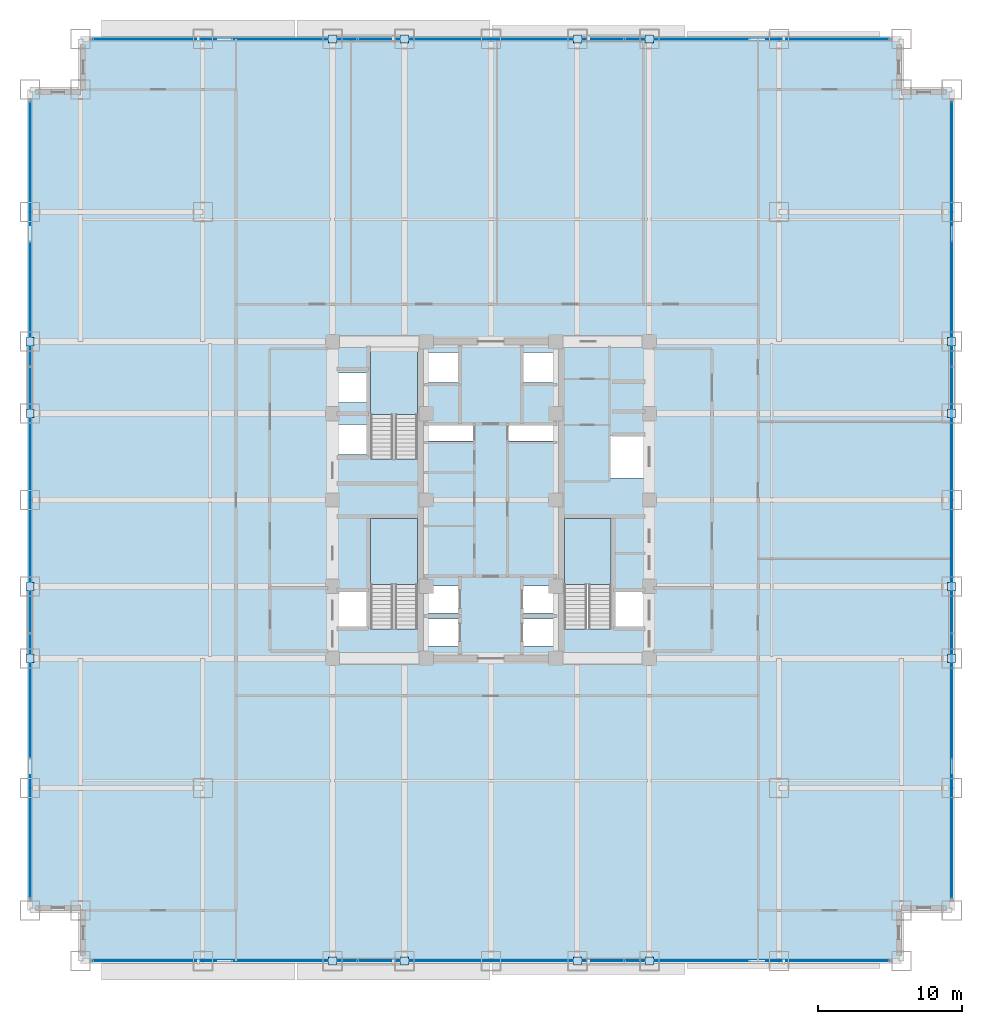
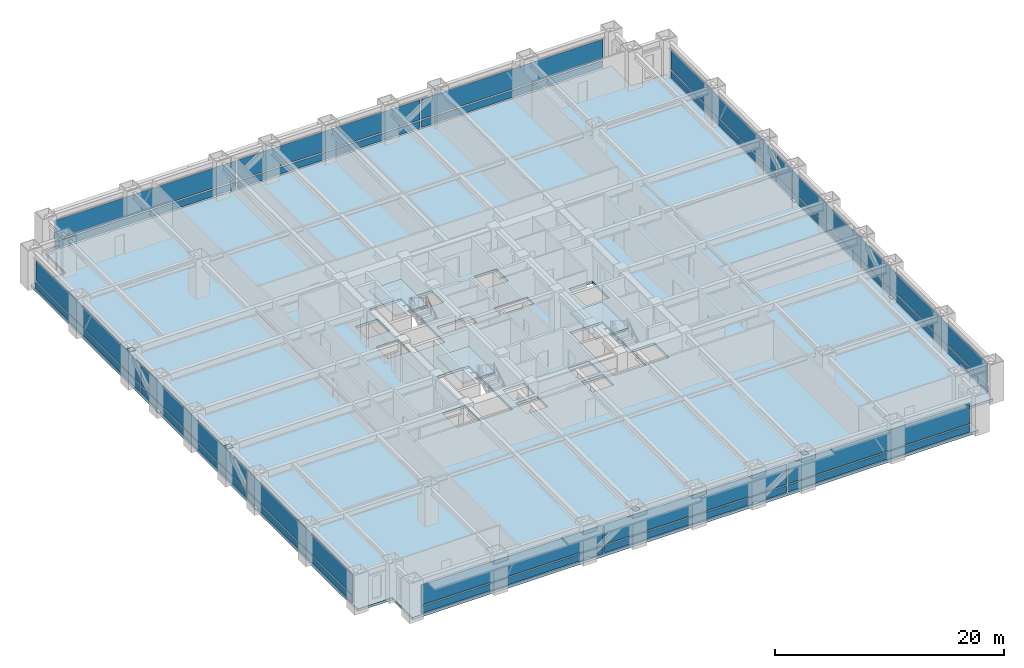
# One storey, part 22 of 31: 40 plates, 4 slabs, 7 elements without a shape of their own.
"""IFC4 building model written with IfcOpenShell, lengths in metres."""

from ifc_helpers import new_model, si_unit, direction, frame, origin, origin_2d, place, context, subcontext, project, spatial, polyline, rectangle, outline, extrude, source, transform, mapped, material, layer, layer_set, type_object, element, aggregate, save


model = new_model("IFC4")

# Units and contexts
model_context = context("Model", 3, precision=1e-05, world=origin(), true_north=direction((0.0, 1.0)))
body_context = subcontext(model_context, "Body", "Model", "MODEL_VIEW")
ifc_project = project(units=[si_unit("LENGTHUNIT", "METRE"), si_unit("AREAUNIT", "SQUARE_METRE"), si_unit("VOLUMEUNIT", "CUBIC_METRE"), si_unit("PLANEANGLEUNIT", "RADIAN"), si_unit("MASSUNIT", "GRAM", prefix="KILO")], contexts=[model_context])

# Site, building, storey
site_placement = place(None, origin())
site = spatial("IfcSite", under=ifc_project, at=site_placement, CompositionType="ELEMENT")
building_placement = place(site_placement, origin())
building = spatial("IfcBuilding", under=site, at=building_placement, Name="Khorayat Bourse Tower", CompositionType="ELEMENT")
storey_placement = place(building_placement, frame((0.0, 0.0, 36.800048828125)))
storey = spatial("IfcBuildingStorey", under=building, at=storey_placement, Name="L07", CompositionType="ELEMENT", Elevation=36.800048828125)

# Stair, slab
ifc_material_1 = material(Name="Concrete C40/50", Category="concrete")
stair_type = type_object("IfcStairType", Name="STR-CORE-1550", PredefinedType="HALF_TURN_STAIR", material=ifc_material_1)
stair_1_placement = place(storey_placement, origin())
stair_1 = element("IfcStair", 1, at=stair_1_placement, inside=storey, type_object=stair_type, Name="L07 Exit Stair ST-1", PredefinedType="HALF_TURN_STAIR")
ifc_layer_1 = layer(ifc_material_1, 0.199951171875)
ifc_layer_set_1 = layer_set([ifc_layer_1], Name="Concrete C40/50")
slab_type_1 = type_object("IfcSlabType", Name="SLB-LANDING-200", PredefinedType="LANDING", material=ifc_layer_set_1)
slab_1_placement = place(storey_placement, frame((0.0, 0.0, 1.89990234375)))
slab_1 = element("IfcSlab", 2, at=slab_1_placement, type_object=slab_type_1, Name="ST-1 landing 1", PredefinedType="LANDING", context=body_context, shape_type="SweptSolid", body=[
    extrude(outline(polyline([(-5.10009765625, -5.8701171875), (-5.10009765625, -1.300048828125), (-8.35009765625, -1.300048828125), (-8.35009765625, -5.8701171875), (-5.10009765625, -5.8701171875)])), origin(), (0.0, 0.0, 1.0), 0.199951171875),
])
aggregate(stair_1, [slab_1])

stair_2_placement = place(storey_placement, origin())
stair_2 = element("IfcStair", 3, at=stair_2_placement, inside=storey, type_object=stair_type, Name="L07 Exit Stair ST-2", PredefinedType="HALF_TURN_STAIR")
slab_2_placement = place(storey_placement, frame((0.0, 0.0, 1.89990234375)))
slab_2 = element("IfcSlab", 4, at=slab_2_placement, type_object=slab_type_1, Name="ST-2 landing 1", PredefinedType="LANDING", context=body_context, shape_type="SweptSolid", body=[
    extrude(outline(polyline([(-5.10009765625, 5.929931640625), (-5.10009765625, 10.5), (-8.35009765625, 10.5), (-8.35009765625, 5.929931640625), (-5.10009765625, 5.929931640625)])), origin(), (0.0, 0.0, 1.0), 0.199951171875),
])
aggregate(stair_2, [slab_2])

stair_3_placement = place(storey_placement, origin())
stair_3 = element("IfcStair", 5, at=stair_3_placement, inside=storey, type_object=stair_type, Name="L07 Exit Stair ST-3", PredefinedType="HALF_TURN_STAIR")
slab_3_placement = place(storey_placement, frame((0.0, 0.0, 1.89990234375)))
slab_3 = element("IfcSlab", 6, at=slab_3_placement, type_object=slab_type_1, Name="ST-3 landing 1", PredefinedType="LANDING", context=body_context, shape_type="SweptSolid", body=[
    extrude(outline(polyline([(8.35009765625, -5.8701171875), (8.35009765625, -1.300048828125), (5.10009765625, -1.300048828125), (5.10009765625, -5.8701171875), (8.35009765625, -5.8701171875)])), origin(), (0.0, 0.0, 1.0), 0.199951171875),
])
aggregate(stair_3, [slab_3])

# Slab
ifc_layer_2 = layer(ifc_material_1, 0.260009765625)
ifc_layer_set_2 = layer_set([ifc_layer_2], Name="Concrete C40/50")
slab_type_2 = type_object("IfcSlabType", Name="SLB-TRADE-260", PredefinedType="FLOOR", material=ifc_layer_set_2)
slab_4_placement = place(storey_placement, frame((0.0, 0.0, -0.260009765625)))
element("IfcSlab", 7, at=slab_4_placement, inside=storey, type_object=slab_type_2, Name="L07 Main Floor Slab", PredefinedType="FLOOR", context=body_context, shape_type="SweptSolid", body=[
    extrude(outline(polyline([(-28.5, -32.0), (28.5, -32.0), (28.5, -28.5), (32.0, -28.5), (32.0, 28.5), (28.5, 28.5), (28.5, 32.0), (-28.5, 32.0), (-28.5, 28.5), (-32.0, 28.5), (-32.0, -28.5), (-28.5, -28.5), (-28.5, -32.0)]), holes=[polyline([(-8.35009765625, -8.945068359375), (-5.10009765625, -8.945068359375), (-5.10009765625, -1.300048828125), (-8.35009765625, -1.300048828125), (-8.35009765625, -8.945068359375)]), polyline([(-8.35009765625, 2.85498046875), (-5.10009765625, 2.85498046875), (-5.10009765625, 10.5), (-8.35009765625, 10.5), (-8.35009765625, 2.85498046875)]), polyline([(5.10009765625, -8.945068359375), (8.35009765625, -8.945068359375), (8.35009765625, -1.300048828125), (5.10009765625, -1.300048828125), (5.10009765625, -8.945068359375)]), polyline([(-4.3798828125, -10.1298828125), (-2.219970703125, -10.1298828125), (-2.219970703125, -8.27001953125), (-4.3798828125, -8.27001953125), (-4.3798828125, -10.1298828125)]), polyline([(2.219970703125, -10.1298828125), (4.3798828125, -10.1298828125), (4.3798828125, -8.27001953125), (2.219970703125, -8.27001953125), (2.219970703125, -10.1298828125)]), polyline([(-4.3798828125, -7.830078125), (-2.219970703125, -7.830078125), (-2.219970703125, -5.969970703125), (-4.3798828125, -5.969970703125), (-4.3798828125, -7.830078125)]), polyline([(2.219970703125, -7.830078125), (4.3798828125, -7.830078125), (4.3798828125, -5.969970703125), (2.219970703125, -5.969970703125), (2.219970703125, -7.830078125)]), polyline([(-4.3798828125, 8.169921875), (-2.1201171875, 8.169921875), (-2.1201171875, 10.22998046875), (-4.3798828125, 10.22998046875), (-4.3798828125, 8.169921875)]), polyline([(2.1201171875, 8.169921875), (4.3798828125, 8.169921875), (4.3798828125, 10.22998046875), (2.1201171875, 10.22998046875), (2.1201171875, 8.169921875)]), polyline([(-10.679931640625, 3.169921875), (-8.419921875, 3.169921875), (-8.419921875, 5.22998046875), (-10.679931640625, 5.22998046875), (-10.679931640625, 3.169921875)]), polyline([(-10.679931640625, 6.77001953125), (-8.419921875, 6.77001953125), (-8.419921875, 8.830078125), (-10.679931640625, 8.830078125), (-10.679931640625, 6.77001953125)]), polyline([(-10.679931640625, -8.929931640625), (-8.419921875, -8.929931640625), (-8.419921875, -6.3701171875), (-10.679931640625, -6.3701171875), (-10.679931640625, -8.929931640625)]), polyline([(8.419921875, -8.929931640625), (10.679931640625, -8.929931640625), (10.679931640625, -6.3701171875), (8.419921875, -6.3701171875), (8.419921875, -8.929931640625)]), polyline([(8.320068359375, 1.52001953125), (10.679931640625, 1.52001953125), (10.679931640625, 4.47998046875), (8.320068359375, 4.47998046875), (8.320068359375, 1.52001953125)]), polyline([(-4.56005859375, 4.080078125), (-1.18994140625, 4.080078125), (-1.18994140625, 5.219970703125), (-4.56005859375, 5.219970703125), (-4.56005859375, 4.080078125)]), polyline([(1.18994140625, 4.080078125), (4.56005859375, 4.080078125), (4.56005859375, 5.219970703125), (1.18994140625, 5.219970703125), (1.18994140625, 4.080078125)])]), origin(), (0.0, 0.0, 1.0), 0.260009765625),
])

# Plates
ifc_material_2 = material(Name="Steel EN 10025-2 S355J2", Category="steel")
ifc_layer_3 = layer(ifc_material_2, 0.02490234375)
ifc_layer_set_3 = layer_set([ifc_layer_3], Name="Steel EN 10025-2 S355J2")
plate_type_1 = type_object("IfcPlateType", Name="PLT-ENDCAP-25", PredefinedType="SHEET", material=ifc_layer_set_3)
shared_shape_1 = source(origin(), body_context, "Body", "SweptSolid", [
    extrude(rectangle(XDim=0.56005859375, YDim=0.56005859375, at=origin_2d()), origin(), (0.0, 0.0, 1.0), 0.02490234375),
])
for number, where, z_axis, x_axis, name in (
    (8, (-11.0, -32.0, 0.237548828125), (0.0, 0.0, 1.0), (1.0, 0.0, 0.0), "L07 Perimeter Brace End Plate 001"),
    (9, (-6.0, -32.0, 3.677490234375), (0.0, 0.0, 1.0), (1.0, 0.0, 0.0), "L07 Perimeter Brace End Plate 002"),
    (10, (6.0, -32.0, 0.237548828125), (0.0, 0.0, 1.0), (1.0, 0.0, 0.0), "L07 Perimeter Brace End Plate 003"),
    (11, (11.0, -32.0, 3.677490234375), (0.0, 0.0, 1.0), (1.0, 0.0, 0.0), "L07 Perimeter Brace End Plate 004"),
    (12, (-11.0, 32.0, 0.237548828125), (0.0, 0.0, 1.0), (1.0, 0.0, 0.0), "L07 Perimeter Brace End Plate 005"),
    (13, (-6.0, 32.0, 3.677490234375), (0.0, 0.0, 1.0), (1.0, 0.0, 0.0), "L07 Perimeter Brace End Plate 006"),
    (14, (6.0, 32.0, 0.237548828125), (0.0, 0.0, 1.0), (1.0, 0.0, 0.0), "L07 Perimeter Brace End Plate 007"),
    (15, (11.0, 32.0, 3.677490234375), (0.0, 0.0, 1.0), (1.0, 0.0, 0.0), "L07 Perimeter Brace End Plate 008"),
    (16, (-32.0, -11.0, 0.237548828125), (0.0, 0.0, 1.0), (1.0, 0.0, 0.0), "L07 Perimeter Brace End Plate 009"),
    (17, (-32.0, -6.0, 3.677490234375), (0.0, 0.0, 1.0), (1.0, 0.0, 0.0), "L07 Perimeter Brace End Plate 010"),
    (18, (-32.0, 6.0, 0.237548828125), (0.0, 0.0, 1.0), (1.0, 0.0, 0.0), "L07 Perimeter Brace End Plate 011"),
    (19, (-32.0, 11.0, 3.677490234375), (0.0, 0.0, 1.0), (1.0, 0.0, 0.0), "L07 Perimeter Brace End Plate 012"),
    (20, (32.0, -11.0, 0.237548828125), (0.0, 0.0, 1.0), (1.0, 0.0, 0.0), "L07 Perimeter Brace End Plate 013"),
    (21, (32.0, -6.0, 3.677490234375), (0.0, 0.0, 1.0), (1.0, 0.0, 0.0), "L07 Perimeter Brace End Plate 014"),
    (22, (32.0, 6.0, 0.237548828125), (0.0, 0.0, 1.0), (1.0, 0.0, 0.0), "L07 Perimeter Brace End Plate 015"),
    (23, (32.0, 11.0, 3.677490234375), (0.0, 0.0, 1.0), (1.0, 0.0, 0.0), "L07 Perimeter Brace End Plate 016"),
):
    element("IfcPlate", number, at=place(storey_placement, frame(where, z_axis=z_axis, x_axis=x_axis)), inside=storey, type_object=plate_type_1, Name=name, PredefinedType="SHEET", context=body_context, shape_type="MappedRepresentation", body=[
        mapped(shared_shape_1, transform((0.0, 0.0, 0.0), scale=1.0)),
    ])

# Curtain wall, plates
ifc_material_3 = material(Name="Aluminium EN AW-6063 T6", Category="aluminium")
curtain_wall_type = type_object("IfcCurtainWallType", Name="CW-SYS-02", PredefinedType="NOTDEFINED", material=ifc_material_3)
curtain_wall_1_placement = place(storey_placement, origin())
curtain_wall_1 = element("IfcCurtainWall", 24, at=curtain_wall_1_placement, inside=storey, type_object=curtain_wall_type, Name="L07 Curtain Wall CW-L07-S1", PredefinedType="NOTDEFINED")
ifc_material_4 = material(Name="Honed desert limestone insulated spandrel", Category="masonry")
ifc_layer_4 = layer(ifc_material_4, 0.06494140625)
ifc_layer_set_4 = layer_set([ifc_layer_4], Name="Honed desert limestone insulated spandrel")
plate_type_2 = type_object("IfcPlateType", Name="CWP-SPAND-03", PredefinedType="CURTAIN_PANEL", material=ifc_layer_set_4)
shared_shape_2 = source(origin(), body_context, "Body", "SweptSolid", [
    extrude(rectangle(XDim=18.2900390625, YDim=0.06494140625, at=origin_2d()), origin(), (0.0, 0.0, 1.0), 0.739990234375),
])
plate_1_placement = place(storey_placement, frame((-18.465087890625, -32.0, 0.14013671875), z_axis=(0.0, 0.0, 1.0), x_axis=(1.0, 0.0, 0.0)))
plate_1 = element("IfcPlate", 25, at=plate_1_placement, type_object=plate_type_2, Name="CW-L07-S1 Spandrel Panel 1-1", PredefinedType="CURTAIN_PANEL", context=body_context, shape_type="MappedRepresentation", body=[
    mapped(shared_shape_2, transform((0.0, 0.0, 0.0), scale=1.0)),
])
plate_2_placement = place(storey_placement, frame((18.465087890625, -32.0, 0.14013671875), z_axis=(0.0, 0.0, 1.0), x_axis=(1.0, 0.0, 0.0)))
plate_2 = element("IfcPlate", 26, at=plate_2_placement, type_object=plate_type_2, Name="CW-L07-S1 Spandrel Panel 3-1", PredefinedType="CURTAIN_PANEL", context=body_context, shape_type="MappedRepresentation", body=[
    mapped(shared_shape_2, transform((0.0, 0.0, 0.0), scale=1.0)),
])

curtain_wall_2_placement = place(storey_placement, origin())
curtain_wall_2 = element("IfcCurtainWall", 27, at=curtain_wall_2_placement, inside=storey, type_object=curtain_wall_type, Name="L07 Curtain Wall CW-L07-N1", PredefinedType="NOTDEFINED")
plate_3_placement = place(storey_placement, frame((-18.465087890625, 32.0, 0.14013671875), z_axis=(0.0, 0.0, 1.0), x_axis=(1.0, 0.0, 0.0)))
plate_3 = element("IfcPlate", 28, at=plate_3_placement, type_object=plate_type_2, Name="CW-L07-N1 Spandrel Panel 1-1", PredefinedType="CURTAIN_PANEL", context=body_context, shape_type="MappedRepresentation", body=[
    mapped(shared_shape_2, transform((0.0, 0.0, 0.0), scale=1.0)),
])
plate_4_placement = place(storey_placement, frame((18.465087890625, 32.0, 0.14013671875), z_axis=(0.0, 0.0, 1.0), x_axis=(1.0, 0.0, 0.0)))
plate_4 = element("IfcPlate", 29, at=plate_4_placement, type_object=plate_type_2, Name="CW-L07-N1 Spandrel Panel 3-1", PredefinedType="CURTAIN_PANEL", context=body_context, shape_type="MappedRepresentation", body=[
    mapped(shared_shape_2, transform((0.0, 0.0, 0.0), scale=1.0)),
])

curtain_wall_3_placement = place(storey_placement, origin())
curtain_wall_3 = element("IfcCurtainWall", 30, at=curtain_wall_3_placement, inside=storey, type_object=curtain_wall_type, Name="L07 Curtain Wall CW-L07-W1", PredefinedType="NOTDEFINED")
plate_5_placement = place(storey_placement, frame((-32.0, -18.465087890625, 0.14013671875), z_axis=(0.0, 0.0, 1.0), x_axis=(0.0, 1.0, 0.0)))
plate_5 = element("IfcPlate", 31, at=plate_5_placement, type_object=plate_type_2, Name="CW-L07-W1 Spandrel Panel 1-1", PredefinedType="CURTAIN_PANEL", context=body_context, shape_type="MappedRepresentation", body=[
    mapped(shared_shape_2, transform((0.0, 0.0, 0.0), scale=1.0)),
])
plate_6_placement = place(storey_placement, frame((-32.0, 18.465087890625, 0.14013671875), z_axis=(0.0, 0.0, 1.0), x_axis=(0.0, 1.0, 0.0)))
plate_6 = element("IfcPlate", 32, at=plate_6_placement, type_object=plate_type_2, Name="CW-L07-W1 Spandrel Panel 3-1", PredefinedType="CURTAIN_PANEL", context=body_context, shape_type="MappedRepresentation", body=[
    mapped(shared_shape_2, transform((0.0, 0.0, 0.0), scale=1.0)),
])

curtain_wall_4_placement = place(storey_placement, origin())
curtain_wall_4 = element("IfcCurtainWall", 33, at=curtain_wall_4_placement, inside=storey, type_object=curtain_wall_type, Name="L07 Curtain Wall CW-L07-E1", PredefinedType="NOTDEFINED")
plate_7_placement = place(storey_placement, frame((32.0, -18.465087890625, 0.14013671875), z_axis=(0.0, 0.0, 1.0), x_axis=(0.0, 1.0, 0.0)))
plate_7 = element("IfcPlate", 34, at=plate_7_placement, type_object=plate_type_2, Name="CW-L07-E1 Spandrel Panel 1-1", PredefinedType="CURTAIN_PANEL", context=body_context, shape_type="MappedRepresentation", body=[
    mapped(shared_shape_2, transform((0.0, 0.0, 0.0), scale=1.0)),
])
plate_8_placement = place(storey_placement, frame((32.0, 18.465087890625, 0.14013671875), z_axis=(0.0, 0.0, 1.0), x_axis=(0.0, 1.0, 0.0)))
plate_8 = element("IfcPlate", 35, at=plate_8_placement, type_object=plate_type_2, Name="CW-L07-E1 Spandrel Panel 3-1", PredefinedType="CURTAIN_PANEL", context=body_context, shape_type="MappedRepresentation", body=[
    mapped(shared_shape_2, transform((0.0, 0.0, 0.0), scale=1.0)),
])

# Plate
ifc_material_5 = material(Name="Low-E solar-control laminated double glazing", Category="glass")
ifc_layer_5 = layer(ifc_material_5, 0.0419921875)
ifc_layer_set_5 = layer_set([ifc_layer_5], Name="Low-E solar-control laminated double glazing")
plate_type_3 = type_object("IfcPlateType", Name="CWP-FACET-02", PredefinedType="CURTAIN_PANEL", material=ifc_layer_set_5)
shared_shape_3 = source(origin(), body_context, "Body", "SweptSolid", [
    extrude(rectangle(XDim=18.2900390625, YDim=0.0419921875, at=origin_2d()), origin(), (0.0, 0.0, 1.0), 2.1298828125),
])
plate_9_placement = place(storey_placement, frame((-18.465087890625, -32.0, 1.02001953125), z_axis=(0.0, 0.0, 1.0), x_axis=(1.0, 0.0, 0.0)))
plate_9 = element("IfcPlate", 36, at=plate_9_placement, type_object=plate_type_3, Name="CW-L07-S1 Vision Panel 1-2", PredefinedType="CURTAIN_PANEL", context=body_context, shape_type="MappedRepresentation", body=[
    mapped(shared_shape_3, transform((0.0, 0.0, 0.0), scale=1.0)),
])

plate_10_placement = place(storey_placement, frame((18.465087890625, -32.0, 1.02001953125), z_axis=(0.0, 0.0, 1.0), x_axis=(1.0, 0.0, 0.0)))
plate_10 = element("IfcPlate", 37, at=plate_10_placement, type_object=plate_type_3, Name="CW-L07-S1 Vision Panel 3-2", PredefinedType="CURTAIN_PANEL", context=body_context, shape_type="MappedRepresentation", body=[
    mapped(shared_shape_3, transform((0.0, 0.0, 0.0), scale=1.0)),
])

plate_11_placement = place(storey_placement, frame((-18.465087890625, 32.0, 1.02001953125), z_axis=(0.0, 0.0, 1.0), x_axis=(1.0, 0.0, 0.0)))
plate_11 = element("IfcPlate", 38, at=plate_11_placement, type_object=plate_type_3, Name="CW-L07-N1 Vision Panel 1-2", PredefinedType="CURTAIN_PANEL", context=body_context, shape_type="MappedRepresentation", body=[
    mapped(shared_shape_3, transform((0.0, 0.0, 0.0), scale=1.0)),
])

plate_12_placement = place(storey_placement, frame((18.465087890625, 32.0, 1.02001953125), z_axis=(0.0, 0.0, 1.0), x_axis=(1.0, 0.0, 0.0)))
plate_12 = element("IfcPlate", 39, at=plate_12_placement, type_object=plate_type_3, Name="CW-L07-N1 Vision Panel 3-2", PredefinedType="CURTAIN_PANEL", context=body_context, shape_type="MappedRepresentation", body=[
    mapped(shared_shape_3, transform((0.0, 0.0, 0.0), scale=1.0)),
])

plate_13_placement = place(storey_placement, frame((-32.0, -18.465087890625, 1.02001953125), z_axis=(0.0, 0.0, 1.0), x_axis=(0.0, 1.0, 0.0)))
plate_13 = element("IfcPlate", 40, at=plate_13_placement, type_object=plate_type_3, Name="CW-L07-W1 Vision Panel 1-2", PredefinedType="CURTAIN_PANEL", context=body_context, shape_type="MappedRepresentation", body=[
    mapped(shared_shape_3, transform((0.0, 0.0, 0.0), scale=1.0)),
])

plate_14_placement = place(storey_placement, frame((-32.0, 18.465087890625, 1.02001953125), z_axis=(0.0, 0.0, 1.0), x_axis=(0.0, 1.0, 0.0)))
plate_14 = element("IfcPlate", 41, at=plate_14_placement, type_object=plate_type_3, Name="CW-L07-W1 Vision Panel 3-2", PredefinedType="CURTAIN_PANEL", context=body_context, shape_type="MappedRepresentation", body=[
    mapped(shared_shape_3, transform((0.0, 0.0, 0.0), scale=1.0)),
])

plate_15_placement = place(storey_placement, frame((32.0, -18.465087890625, 1.02001953125), z_axis=(0.0, 0.0, 1.0), x_axis=(0.0, 1.0, 0.0)))
plate_15 = element("IfcPlate", 42, at=plate_15_placement, type_object=plate_type_3, Name="CW-L07-E1 Vision Panel 1-2", PredefinedType="CURTAIN_PANEL", context=body_context, shape_type="MappedRepresentation", body=[
    mapped(shared_shape_3, transform((0.0, 0.0, 0.0), scale=1.0)),
])

plate_16_placement = place(storey_placement, frame((32.0, 18.465087890625, 1.02001953125), z_axis=(0.0, 0.0, 1.0), x_axis=(0.0, 1.0, 0.0)))
plate_16 = element("IfcPlate", 43, at=plate_16_placement, type_object=plate_type_3, Name="CW-L07-E1 Vision Panel 3-2", PredefinedType="CURTAIN_PANEL", context=body_context, shape_type="MappedRepresentation", body=[
    mapped(shared_shape_3, transform((0.0, 0.0, 0.0), scale=1.0)),
])

shared_shape_4 = source(origin(), body_context, "Body", "SweptSolid", [
    extrude(rectangle(XDim=18.360107421875, YDim=0.06494140625, at=origin_2d()), origin(), (0.0, 0.0, 1.0), 0.739990234375),
])
plate_17_placement = place(storey_placement, frame((0.0, -32.0, 0.14013671875), z_axis=(0.0, 0.0, 1.0), x_axis=(1.0, 0.0, 0.0)))
plate_17 = element("IfcPlate", 44, at=plate_17_placement, type_object=plate_type_2, Name="CW-L07-S1 Spandrel Panel 2-1", PredefinedType="CURTAIN_PANEL", context=body_context, shape_type="MappedRepresentation", body=[
    mapped(shared_shape_4, transform((0.0, 0.0, 0.0), scale=1.0)),
])

plate_18_placement = place(storey_placement, frame((0.0, 32.0, 0.14013671875), z_axis=(0.0, 0.0, 1.0), x_axis=(1.0, 0.0, 0.0)))
plate_18 = element("IfcPlate", 45, at=plate_18_placement, type_object=plate_type_2, Name="CW-L07-N1 Spandrel Panel 2-1", PredefinedType="CURTAIN_PANEL", context=body_context, shape_type="MappedRepresentation", body=[
    mapped(shared_shape_4, transform((0.0, 0.0, 0.0), scale=1.0)),
])

plate_19_placement = place(storey_placement, frame((-32.0, 0.0, 0.14013671875), z_axis=(0.0, 0.0, 1.0), x_axis=(0.0, 1.0, 0.0)))
plate_19 = element("IfcPlate", 46, at=plate_19_placement, type_object=plate_type_2, Name="CW-L07-W1 Spandrel Panel 2-1", PredefinedType="CURTAIN_PANEL", context=body_context, shape_type="MappedRepresentation", body=[
    mapped(shared_shape_4, transform((0.0, 0.0, 0.0), scale=1.0)),
])

plate_20_placement = place(storey_placement, frame((32.0, 0.0, 0.14013671875), z_axis=(0.0, 0.0, 1.0), x_axis=(0.0, 1.0, 0.0)))
plate_20 = element("IfcPlate", 47, at=plate_20_placement, type_object=plate_type_2, Name="CW-L07-E1 Spandrel Panel 2-1", PredefinedType="CURTAIN_PANEL", context=body_context, shape_type="MappedRepresentation", body=[
    mapped(shared_shape_4, transform((0.0, 0.0, 0.0), scale=1.0)),
])

shared_shape_5 = source(origin(), body_context, "Body", "SweptSolid", [
    extrude(rectangle(XDim=18.360107421875, YDim=0.0419921875, at=origin_2d()), origin(), (0.0, 0.0, 1.0), 2.1298828125),
])
plate_21_placement = place(storey_placement, frame((0.0, -32.0, 1.02001953125), z_axis=(0.0, 0.0, 1.0), x_axis=(1.0, 0.0, 0.0)))
plate_21 = element("IfcPlate", 48, at=plate_21_placement, type_object=plate_type_3, Name="CW-L07-S1 Vision Panel 2-2", PredefinedType="CURTAIN_PANEL", context=body_context, shape_type="MappedRepresentation", body=[
    mapped(shared_shape_5, transform((0.0, 0.0, 0.0), scale=1.0)),
])

aggregate(curtain_wall_1, [plate_1, plate_9, plate_17, plate_21, plate_2, plate_10])

plate_22_placement = place(storey_placement, frame((0.0, 32.0, 1.02001953125), z_axis=(0.0, 0.0, 1.0), x_axis=(1.0, 0.0, 0.0)))
plate_22 = element("IfcPlate", 49, at=plate_22_placement, type_object=plate_type_3, Name="CW-L07-N1 Vision Panel 2-2", PredefinedType="CURTAIN_PANEL", context=body_context, shape_type="MappedRepresentation", body=[
    mapped(shared_shape_5, transform((0.0, 0.0, 0.0), scale=1.0)),
])

aggregate(curtain_wall_2, [plate_3, plate_11, plate_18, plate_22, plate_4, plate_12])

plate_23_placement = place(storey_placement, frame((-32.0, 0.0, 1.02001953125), z_axis=(0.0, 0.0, 1.0), x_axis=(0.0, 1.0, 0.0)))
plate_23 = element("IfcPlate", 50, at=plate_23_placement, type_object=plate_type_3, Name="CW-L07-W1 Vision Panel 2-2", PredefinedType="CURTAIN_PANEL", context=body_context, shape_type="MappedRepresentation", body=[
    mapped(shared_shape_5, transform((0.0, 0.0, 0.0), scale=1.0)),
])

aggregate(curtain_wall_3, [plate_5, plate_13, plate_19, plate_23, plate_6, plate_14])

plate_24_placement = place(storey_placement, frame((32.0, 0.0, 1.02001953125), z_axis=(0.0, 0.0, 1.0), x_axis=(0.0, 1.0, 0.0)))
plate_24 = element("IfcPlate", 51, at=plate_24_placement, type_object=plate_type_3, Name="CW-L07-E1 Vision Panel 2-2", PredefinedType="CURTAIN_PANEL", context=body_context, shape_type="MappedRepresentation", body=[
    mapped(shared_shape_5, transform((0.0, 0.0, 0.0), scale=1.0)),
])

aggregate(curtain_wall_4, [plate_7, plate_15, plate_20, plate_24, plate_8, plate_16])

save(model, "model.ifc")
